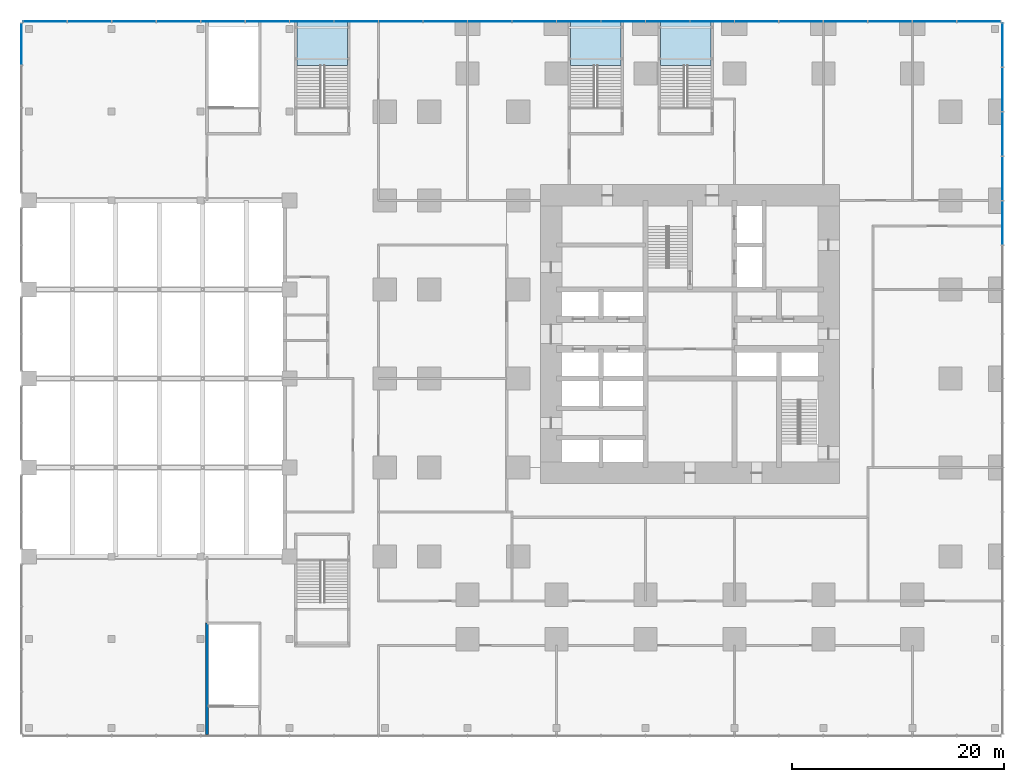
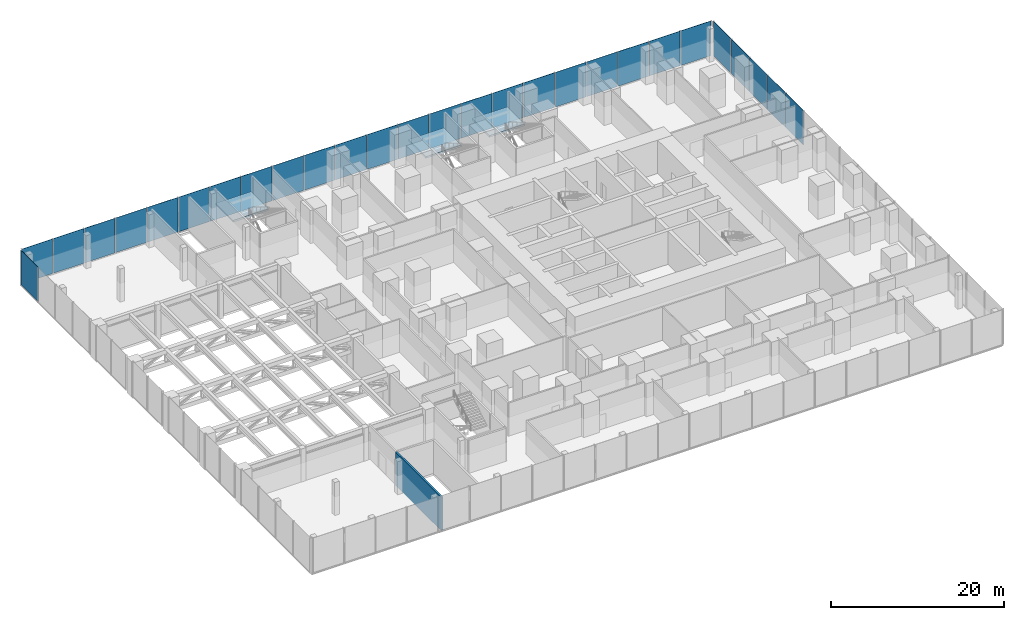
# One storey, part 24 of 33: 28 plates, 3 slabs, 1 wall, 6 elements without a shape of their own.
"""IFC4 building model written with IfcOpenShell, lengths in metres."""

import ifcopenshell
import ifcopenshell.guid

model = None  # the IFC model being written
_history = None  # IfcOwnerHistory: only IFC2X3 demands one
_inside = {}  # id of a spatial element -> (the spatial element, [elements in it])
_under = {}  # id of a project, library or spatial element -> (it, [spatial elements below it])
_declared = {}  # id of a project -> (the project, [libraries it declares])
_typed = {}  # id of a type object -> (the type object, [elements of that type])
_made_of = {}  # id of a material, layer set ... -> (it, [elements and type objects made of it])


def new_model(schema):
    """Start an empty IFC model of exactly this schema.

    Asked for "IFC4X3", IfcOpenShell would pick the latest addendum, in which some entities
    have other attributes; the version numbers below select the first issue.
    IFC2X3 requires an IfcOwnerHistory on every rooted entity: one is made here for all.
    """
    global model, _history
    if schema == "IFC4X3":
        model = ifcopenshell.file(schema_version=(4, 3, 0, 0))
    else:
        model = ifcopenshell.file(schema=schema)
    _inside.clear()
    _under.clear()
    _declared.clear()
    _typed.clear()
    _made_of.clear()
    _history = None
    if model.schema == "IFC2X3":
        org = make("IfcOrganization", Name="unknown")
        user = make(
            "IfcPersonAndOrganization",
            ThePerson=make("IfcPerson", FamilyName="unknown"),
            TheOrganization=org,
        )
        app = make(
            "IfcApplication",
            ApplicationDeveloper=org,
            Version="unknown",
            ApplicationFullName="unknown",
            ApplicationIdentifier="unknown",
        )
        _history = make(
            "IfcOwnerHistory",
            OwningUser=user,
            OwningApplication=app,
            ChangeAction="ADDED",
            CreationDate=0,
        )
    return model


def make(cls, **values):
    """One entity of the class cls with the attributes given. An attribute that is None is left unset."""
    return model.create_entity(
        cls, **{name: value for name, value in values.items() if value is not None}
    )


def rooted(cls, **values):
    """An entity with a GlobalId (a new one), such as an element, a storey or a relation."""
    return make(cls, GlobalId=ifcopenshell.guid.new(), OwnerHistory=_history, **values)


def si_unit(unit_type, name, prefix=None):
    """IfcSIUnit, for example si_unit("LENGTHUNIT", "METRE", prefix="MILLI")."""
    return make("IfcSIUnit", UnitType=unit_type, Prefix=prefix, Name=name)


def assignment(units):
    """IfcUnitAssignment: the units of a project."""
    return None if units is None else make("IfcUnitAssignment", Units=units)


def point(xyz):
    """IfcCartesianPoint."""
    return None if xyz is None else make("IfcCartesianPoint", Coordinates=xyz)


def direction(xyz):
    """IfcDirection."""
    return None if xyz is None else make("IfcDirection", DirectionRatios=xyz)


def frame(location, z_axis=None, x_axis=None):
    """IfcAxis2Placement3D, a coordinate frame: its origin and axes. An axis left out is left unset."""
    return make(
        "IfcAxis2Placement3D",
        Location=point(location),
        Axis=direction(z_axis),
        RefDirection=direction(x_axis),
    )


def frame_2d(location, x_axis=None):
    """IfcAxis2Placement2D, a coordinate frame in the plane: its origin and x axis."""
    return make(
        "IfcAxis2Placement2D", Location=point(location), RefDirection=direction(x_axis)
    )


def origin():
    """The frame at (0, 0, 0) with its axes left unset."""
    return frame((0.0, 0.0, 0.0))


def origin_2d():
    """The frame at (0, 0) in the plane with its x axis left unset."""
    return frame_2d((0.0, 0.0))


def place(relative_to, where):
    """IfcLocalPlacement: puts the frame where relative to a parent placement (None: the world)."""
    return make(
        "IfcLocalPlacement", PlacementRelTo=relative_to, RelativePlacement=where
    )


def context(
    kind, dimensions, precision=None, world=None, true_north=None, identifier=None
):
    """IfcGeometricRepresentationContext, for example the 3D "Model" context."""
    return make(
        "IfcGeometricRepresentationContext",
        ContextIdentifier=identifier,
        ContextType=kind,
        CoordinateSpaceDimension=dimensions,
        Precision=precision,
        WorldCoordinateSystem=world,
        TrueNorth=true_north,
    )


def subcontext(parent, identifier, kind, view, scale=None):
    """IfcGeometricRepresentationSubContext, for example "Body" below "Model"."""
    return make(
        "IfcGeometricRepresentationSubContext",
        ContextIdentifier=identifier,
        ContextType=kind,
        ParentContext=parent,
        TargetScale=scale,
        TargetView=view,
    )


def project(units=None, contexts=None):
    """IfcProject with its units and contexts."""
    return rooted(
        "IfcProject",
        Name="project",
        RepresentationContexts=contexts,
        UnitsInContext=assignment(units),
    )


def spatial(cls, under=None, at=None, **own):
    """A site, building, storey or space (cls), placed at a placement, below another one or the project."""
    s = rooted(cls, ObjectPlacement=at, **own)
    if under is not None:
        _under.setdefault(under.id(), (under, []))[1].append(s)
    return s


def polyline(points):
    """IfcPolyline through the points."""
    return make("IfcPolyline", Points=[point(p) for p in points])


def profile(cls, at=None, kind="AREA", **sizes):
    """A parametric profile (cls). Its sizes go by their IFC names, for example OverallWidth=200.0."""
    return make(cls, ProfileType=kind, Position=at, **sizes)


def rectangle(**sizes):
    """IfcRectangleProfileDef."""
    return profile("IfcRectangleProfileDef", **sizes)


def outline(outer, holes=None, kind="AREA"):
    """IfcArbitraryClosedProfileDef: a profile drawn as a closed curve; with holes, ...WithVoids."""
    if holes is None:
        return make("IfcArbitraryClosedProfileDef", ProfileType=kind, OuterCurve=outer)
    return make(
        "IfcArbitraryProfileDefWithVoids",
        ProfileType=kind,
        OuterCurve=outer,
        InnerCurves=holes,
    )


def extrude(swept, where, along, depth):
    """IfcExtrudedAreaSolid: the profile swept, set in the frame where, extruded along a direction by depth."""
    return make(
        "IfcExtrudedAreaSolid",
        SweptArea=swept,
        Position=where,
        ExtrudedDirection=direction(along),
        Depth=depth,
    )


def shape(context_of_items, identifier, shape_type, items):
    """IfcShapeRepresentation: the items that make up one representation, for example the "Body"."""
    return make(
        "IfcShapeRepresentation",
        ContextOfItems=context_of_items,
        RepresentationIdentifier=identifier,
        RepresentationType=shape_type,
        Items=items,
    )


def material(Name=None, Category=None):
    """IfcMaterial."""
    return make("IfcMaterial", Name=Name, Category=Category)


def layer(
    of_material, thickness, ventilated=None, Name=None, Category=None, Priority=None
):
    """IfcMaterialLayer: one layer of a wall or slab, of a material (None: an air gap)."""
    return make(
        "IfcMaterialLayer",
        Material=of_material,
        LayerThickness=thickness,
        IsVentilated=ventilated,
        Name=Name,
        Category=Category,
        Priority=Priority,
    )


def layer_set(layers, Name=None):
    """IfcMaterialLayerSet."""
    return make("IfcMaterialLayerSet", MaterialLayers=layers, LayerSetName=Name)


def made_of(thing, what):
    """Note that an element or type object is made of a material, layer set ...; save() writes the relation."""
    if what is not None:
        _made_of.setdefault(what.id(), (what, []))[1].append(thing)
    return thing


def type_object(cls, material=None, **own):
    """A type object (cls), such as IfcWallType, which elements share."""
    return made_of(rooted(cls, **own), material)


def element(
    cls,
    number,
    at=None,
    inside=None,
    cuts=None,
    type_object=None,
    material=None,
    context=None,
    identifier="Body",
    shape_type=None,
    held_by="IfcProductDefinitionShape",
    body=None,
    shapes=None,
    **own,
):
    """One element of the class cls, such as IfcWall. Its Tag is "e" and its number.

    at: its placement. inside: the storey or other place that contains it. cuts: it is an
    opening in that element (IfcRelVoidsElement). A single representation is given by context,
    identifier, shape_type and body (its items); several are given by shapes. held_by: the class
    of the entity that holds the representations. save() writes the other relations.
    """
    e = rooted(cls, Tag="e%d" % number, ObjectPlacement=at, **own)
    if body is not None:
        shapes = [shape(context, identifier, shape_type, body)]
    if shapes is not None:
        e.Representation = make(held_by, Representations=shapes)
    if inside is not None:
        _inside.setdefault(inside.id(), (inside, []))[1].append(e)
    if cuts is not None:
        rooted(
            "IfcRelVoidsElement", RelatingBuildingElement=cuts, RelatedOpeningElement=e
        )
    if type_object is not None:
        _typed.setdefault(type_object.id(), (type_object, []))[1].append(e)
    return made_of(e, material)


def aggregate(whole, parts):
    """IfcRelAggregates: a whole, such as a stair, and the parts it consists of."""
    return rooted("IfcRelAggregates", RelatingObject=whole, RelatedObjects=parts)


def save(model, path):
    """Write the relations noted so far, then the file.

    IfcRelAggregates (storeys below a building ...), IfcRelContainedInSpatialStructure (elements
    in a storey), IfcRelDefinesByType, IfcRelAssociatesMaterial and IfcRelDeclares: one each for
    every whole, place, type object, material and project.
    """
    for whole, parts in _under.values():
        aggregate(whole, parts)
    for where, things in _inside.values():
        rooted(
            "IfcRelContainedInSpatialStructure",
            RelatedElements=things,
            RelatingStructure=where,
        )
    for kind, things in _typed.values():
        rooted("IfcRelDefinesByType", RelatedObjects=things, RelatingType=kind)
    for what, things in _made_of.values():
        rooted("IfcRelAssociatesMaterial", RelatedObjects=things, RelatingMaterial=what)
    for by, libraries in _declared.values():
        rooted("IfcRelDeclares", RelatingContext=by, RelatedDefinitions=libraries)
    model.write(path)


model = new_model("IFC4")

# Units and contexts
model_context = context("Model", 3, precision=1e-05, world=origin(), true_north=direction((0.0, 1.0)))
body_context = subcontext(model_context, "Body", "Model", "MODEL_VIEW")
ifc_project = project(units=[si_unit("LENGTHUNIT", "METRE"), si_unit("AREAUNIT", "SQUARE_METRE"), si_unit("VOLUMEUNIT", "CUBIC_METRE"), si_unit("PLANEANGLEUNIT", "RADIAN"), si_unit("MASSUNIT", "GRAM", prefix="KILO")], contexts=[model_context])

# Site, building, storey
site_placement = place(None, origin())
site = spatial("IfcSite", under=ifc_project, at=site_placement, CompositionType="ELEMENT")
building_placement = place(site_placement, origin())
building = spatial("IfcBuilding", under=site, at=building_placement, Name="Dunama Terrace Hotel", CompositionType="ELEMENT")
storey_placement = place(building_placement, frame((0.0, 0.0, 12.0)))
storey = spatial("IfcBuildingStorey", under=building, at=storey_placement, Name="L02", CompositionType="ELEMENT", Elevation=12.0)

# Curtain wall, plates
ifc_material_1 = material(Name="Aluminium curtain wall system", Category="aluminium")
curtain_wall_type = type_object("IfcCurtainWallType", Name="Podium storefront glazing CW-E", PredefinedType="NOTDEFINED", material=ifc_material_1)
curtain_wall_1_placement = place(storey_placement, origin())
curtain_wall_1 = element("IfcCurtainWall", 1, at=curtain_wall_1_placement, inside=storey, type_object=curtain_wall_type, Name="Podium storefront glazing CW-E L02", PredefinedType="NOTDEFINED")
ifc_material_2 = material(Name="Laminated glass", Category="glass")
ifc_layer_1 = layer(ifc_material_2, 0.033935546875)
ifc_layer_set_1 = layer_set([ifc_layer_1], Name="CWE clear glass panel")
plate_type_1 = type_object("IfcPlateType", Name="CWE clear glass panel", PredefinedType="CURTAIN_PANEL", material=ifc_layer_set_1)
plate_1_placement = place(storey_placement, frame((58.925048828125, 44.10009765625, 0.08984375), z_axis=(0.0, 0.0, 1.0), x_axis=(0.0, 1.0, 0.0)))
plate_1 = element("IfcPlate", 2, at=plate_1_placement, type_object=plate_type_1, Name="CWE clear glass panel", PredefinedType="CURTAIN_PANEL", context=body_context, shape_type="SweptSolid", body=[
    extrude(rectangle(XDim=4.1201171875, YDim=0.033935546875, at=origin_2d()), origin(), (0.0, 0.0, 1.0), 4.909912109375),
])
plate_2_placement = place(storey_placement, frame((58.925048828125, 56.679931640625, 0.08984375), z_axis=(0.0, 0.0, 1.0), x_axis=(0.0, 1.0, 0.0)))
plate_2 = element("IfcPlate", 3, at=plate_2_placement, type_object=plate_type_1, Name="CWE clear glass panel", PredefinedType="CURTAIN_PANEL", context=body_context, shape_type="SweptSolid", body=[
    extrude(rectangle(XDim=4.080078125, YDim=0.033935546875, at=origin_2d()), origin(), (0.0, 0.0, 1.0), 4.909912109375),
])

curtain_wall_2_placement = place(storey_placement, origin())
curtain_wall_2 = element("IfcCurtainWall", 4, at=curtain_wall_2_placement, inside=storey, type_object=curtain_wall_type, Name="Podium storefront glazing CW-E L02", PredefinedType="NOTDEFINED")
plate_3_placement = place(storey_placement, frame((56.679931640625, 58.925048828125, 0.08984375), z_axis=(0.0, 0.0, 1.0), x_axis=(-1.0, 0.0, 0.0)))
plate_3 = element("IfcPlate", 5, at=plate_3_placement, type_object=plate_type_1, Name="CWE clear glass panel", PredefinedType="CURTAIN_PANEL", context=body_context, shape_type="SweptSolid", body=[
    extrude(rectangle(XDim=4.080078125, YDim=0.033935546875, at=origin_2d()), origin(), (0.0, 0.0, 1.0), 4.909912109375),
])
plate_4_placement = place(storey_placement, frame((44.10009765625, 58.925048828125, 0.08984375), z_axis=(0.0, 0.0, 1.0), x_axis=(-1.0, 0.0, 0.0)))
plate_4 = element("IfcPlate", 6, at=plate_4_placement, type_object=plate_type_1, Name="CWE clear glass panel", PredefinedType="CURTAIN_PANEL", context=body_context, shape_type="SweptSolid", body=[
    extrude(rectangle(XDim=4.1201171875, YDim=0.033935546875, at=origin_2d()), origin(), (0.0, 0.0, 1.0), 4.909912109375),
])
plate_5_placement = place(storey_placement, frame((31.5, 58.925048828125, 0.08984375), z_axis=(0.0, 0.0, 1.0), x_axis=(-1.0, 0.0, 0.0)))
plate_5 = element("IfcPlate", 7, at=plate_5_placement, type_object=plate_type_1, Name="CWE clear glass panel", PredefinedType="CURTAIN_PANEL", context=body_context, shape_type="SweptSolid", body=[
    extrude(rectangle(XDim=4.1201171875, YDim=0.033935546875, at=origin_2d()), origin(), (0.0, 0.0, 1.0), 4.909912109375),
])
plate_6_placement = place(storey_placement, frame((18.89990234375, 58.925048828125, 0.08984375), z_axis=(0.0, 0.0, 1.0), x_axis=(-1.0, 0.0, 0.0)))
plate_6 = element("IfcPlate", 8, at=plate_6_placement, type_object=plate_type_1, Name="CWE clear glass panel", PredefinedType="CURTAIN_PANEL", context=body_context, shape_type="SweptSolid", body=[
    extrude(rectangle(XDim=4.1201171875, YDim=0.033935546875, at=origin_2d()), origin(), (0.0, 0.0, 1.0), 4.909912109375),
])
plate_7_placement = place(storey_placement, frame((6.300048828125, 58.925048828125, 0.08984375), z_axis=(0.0, 0.0, 1.0), x_axis=(-1.0, 0.0, 0.0)))
plate_7 = element("IfcPlate", 9, at=plate_7_placement, type_object=plate_type_1, Name="CWE clear glass panel", PredefinedType="CURTAIN_PANEL", context=body_context, shape_type="SweptSolid", body=[
    extrude(rectangle(XDim=4.1201171875, YDim=0.033935546875, at=origin_2d()), origin(), (0.0, 0.0, 1.0), 4.909912109375),
])
plate_8_placement = place(storey_placement, frame((-6.300048828125, 58.925048828125, 0.08984375), z_axis=(0.0, 0.0, 1.0), x_axis=(-1.0, 0.0, 0.0)))
plate_8 = element("IfcPlate", 10, at=plate_8_placement, type_object=plate_type_1, Name="CWE clear glass panel", PredefinedType="CURTAIN_PANEL", context=body_context, shape_type="SweptSolid", body=[
    extrude(rectangle(XDim=4.1201171875, YDim=0.033935546875, at=origin_2d()), origin(), (0.0, 0.0, 1.0), 4.909912109375),
])
plate_9_placement = place(storey_placement, frame((-18.89990234375, 58.925048828125, 0.08984375), z_axis=(0.0, 0.0, 1.0), x_axis=(-1.0, 0.0, 0.0)))
plate_9 = element("IfcPlate", 11, at=plate_9_placement, type_object=plate_type_1, Name="CWE clear glass panel", PredefinedType="CURTAIN_PANEL", context=body_context, shape_type="SweptSolid", body=[
    extrude(rectangle(XDim=4.1201171875, YDim=0.033935546875, at=origin_2d()), origin(), (0.0, 0.0, 1.0), 4.909912109375),
])
plate_10_placement = place(storey_placement, frame((-31.47998046875, 58.925048828125, 0.08984375), z_axis=(0.0, 0.0, 1.0), x_axis=(-1.0, 0.0, 0.0)))
plate_10 = element("IfcPlate", 12, at=plate_10_placement, type_object=plate_type_1, Name="CWE clear glass panel", PredefinedType="CURTAIN_PANEL", context=body_context, shape_type="SweptSolid", body=[
    extrude(rectangle(XDim=4.080078125, YDim=0.033935546875, at=origin_2d()), origin(), (0.0, 0.0, 1.0), 4.909912109375),
])

# Curtain wall, plate
curtain_wall_3_placement = place(storey_placement, origin())
curtain_wall_3 = element("IfcCurtainWall", 13, at=curtain_wall_3_placement, inside=storey, type_object=curtain_wall_type, Name="Podium storefront glazing CW-E L02", PredefinedType="NOTDEFINED")
plate_11_placement = place(storey_placement, frame((-33.72509765625, 56.76708984375, 0.08984375), z_axis=(0.0, 0.0, 1.0), x_axis=(0.0, -1.0, 0.0)))
plate_11 = element("IfcPlate", 14, at=plate_11_placement, type_object=plate_type_1, Name="CWE clear glass panel", PredefinedType="CURTAIN_PANEL", context=body_context, shape_type="SweptSolid", body=[
    extrude(rectangle(XDim=3.905029296875, YDim=0.033935546875, at=origin_2d()), origin(), (0.0, 0.0, 1.0), 4.909912109375),
])
aggregate(curtain_wall_3, [plate_11])

# Plate
ifc_material_3 = material(Name="Fritted laminated glass", Category="glass")
ifc_layer_2 = layer(ifc_material_3, 0.033935546875)
ifc_layer_set_2 = layer_set([ifc_layer_2], Name="CWE fritted glass panel")
plate_type_2 = type_object("IfcPlateType", Name="CWE fritted glass panel", PredefinedType="CURTAIN_PANEL", material=ifc_layer_set_2)
plate_12_placement = place(storey_placement, frame((58.925048828125, 39.89990234375, 0.08984375), z_axis=(0.0, 0.0, 1.0), x_axis=(0.0, 1.0, 0.0)))
plate_12 = element("IfcPlate", 15, at=plate_12_placement, type_object=plate_type_2, Name="CWE fritted glass panel", PredefinedType="CURTAIN_PANEL", context=body_context, shape_type="SweptSolid", body=[
    extrude(rectangle(XDim=4.1201171875, YDim=0.033935546875, at=origin_2d()), origin(), (0.0, 0.0, 1.0), 4.909912109375),
])

plate_13_placement = place(storey_placement, frame((58.925048828125, 52.5, 0.08984375), z_axis=(0.0, 0.0, 1.0), x_axis=(0.0, 1.0, 0.0)))
plate_13 = element("IfcPlate", 16, at=plate_13_placement, type_object=plate_type_2, Name="CWE fritted glass panel", PredefinedType="CURTAIN_PANEL", context=body_context, shape_type="SweptSolid", body=[
    extrude(rectangle(XDim=4.1201171875, YDim=0.033935546875, at=origin_2d()), origin(), (0.0, 0.0, 1.0), 4.909912109375),
])

plate_14_placement = place(storey_placement, frame((48.300048828125, 58.925048828125, 0.08984375), z_axis=(0.0, 0.0, 1.0), x_axis=(-1.0, 0.0, 0.0)))
plate_14 = element("IfcPlate", 17, at=plate_14_placement, type_object=plate_type_2, Name="CWE fritted glass panel", PredefinedType="CURTAIN_PANEL", context=body_context, shape_type="SweptSolid", body=[
    extrude(rectangle(XDim=4.1201171875, YDim=0.033935546875, at=origin_2d()), origin(), (0.0, 0.0, 1.0), 4.909912109375),
])

plate_15_placement = place(storey_placement, frame((35.699951171875, 58.925048828125, 0.08984375), z_axis=(0.0, 0.0, 1.0), x_axis=(-1.0, 0.0, 0.0)))
plate_15 = element("IfcPlate", 18, at=plate_15_placement, type_object=plate_type_2, Name="CWE fritted glass panel", PredefinedType="CURTAIN_PANEL", context=body_context, shape_type="SweptSolid", body=[
    extrude(rectangle(XDim=4.1201171875, YDim=0.033935546875, at=origin_2d()), origin(), (0.0, 0.0, 1.0), 4.909912109375),
])

plate_16_placement = place(storey_placement, frame((23.10009765625, 58.925048828125, 0.08984375), z_axis=(0.0, 0.0, 1.0), x_axis=(-1.0, 0.0, 0.0)))
plate_16 = element("IfcPlate", 19, at=plate_16_placement, type_object=plate_type_2, Name="CWE fritted glass panel", PredefinedType="CURTAIN_PANEL", context=body_context, shape_type="SweptSolid", body=[
    extrude(rectangle(XDim=4.1201171875, YDim=0.033935546875, at=origin_2d()), origin(), (0.0, 0.0, 1.0), 4.909912109375),
])

plate_17_placement = place(storey_placement, frame((10.5, 58.925048828125, 0.08984375), z_axis=(0.0, 0.0, 1.0), x_axis=(-1.0, 0.0, 0.0)))
plate_17 = element("IfcPlate", 20, at=plate_17_placement, type_object=plate_type_2, Name="CWE fritted glass panel", PredefinedType="CURTAIN_PANEL", context=body_context, shape_type="SweptSolid", body=[
    extrude(rectangle(XDim=4.1201171875, YDim=0.033935546875, at=origin_2d()), origin(), (0.0, 0.0, 1.0), 4.909912109375),
])

plate_18_placement = place(storey_placement, frame((-2.10009765625, 58.925048828125, 0.08984375), z_axis=(0.0, 0.0, 1.0), x_axis=(-1.0, 0.0, 0.0)))
plate_18 = element("IfcPlate", 21, at=plate_18_placement, type_object=plate_type_2, Name="CWE fritted glass panel", PredefinedType="CURTAIN_PANEL", context=body_context, shape_type="SweptSolid", body=[
    extrude(rectangle(XDim=4.1201171875, YDim=0.033935546875, at=origin_2d()), origin(), (0.0, 0.0, 1.0), 4.909912109375),
])

plate_19_placement = place(storey_placement, frame((-14.699951171875, 58.925048828125, 0.08984375), z_axis=(0.0, 0.0, 1.0), x_axis=(-1.0, 0.0, 0.0)))
plate_19 = element("IfcPlate", 22, at=plate_19_placement, type_object=plate_type_2, Name="CWE fritted glass panel", PredefinedType="CURTAIN_PANEL", context=body_context, shape_type="SweptSolid", body=[
    extrude(rectangle(XDim=4.1201171875, YDim=0.033935546875, at=origin_2d()), origin(), (0.0, 0.0, 1.0), 4.909912109375),
])

plate_20_placement = place(storey_placement, frame((-27.300048828125, 58.925048828125, 0.08984375), z_axis=(0.0, 0.0, 1.0), x_axis=(-1.0, 0.0, 0.0)))
plate_20 = element("IfcPlate", 23, at=plate_20_placement, type_object=plate_type_2, Name="CWE fritted glass panel", PredefinedType="CURTAIN_PANEL", context=body_context, shape_type="SweptSolid", body=[
    extrude(rectangle(XDim=4.1201171875, YDim=0.033935546875, at=origin_2d()), origin(), (0.0, 0.0, 1.0), 4.909912109375),
])

ifc_material_4 = material(Name="Laminated glass", Category="glass")
ifc_layer_3 = layer(ifc_material_4, 0.033935546875)
ifc_layer_set_3 = layer_set([ifc_layer_3], Name="CWE operable glass panel")
plate_type_3 = type_object("IfcPlateType", Name="CWE operable glass panel", PredefinedType="CURTAIN_PANEL", material=ifc_layer_set_3)
plate_21_placement = place(storey_placement, frame((58.925048828125, 48.300048828125, 0.08984375), z_axis=(0.0, 0.0, 1.0), x_axis=(0.0, 1.0, 0.0)))
plate_21 = element("IfcPlate", 24, at=plate_21_placement, type_object=plate_type_3, Name="CWE operable glass panel", PredefinedType="CURTAIN_PANEL", context=body_context, shape_type="SweptSolid", body=[
    extrude(rectangle(XDim=4.1201171875, YDim=0.033935546875, at=origin_2d()), origin(), (0.0, 0.0, 1.0), 4.909912109375),
])

aggregate(curtain_wall_1, [plate_12, plate_1, plate_21, plate_13, plate_2])

plate_22_placement = place(storey_placement, frame((52.5, 58.925048828125, 0.08984375), z_axis=(0.0, 0.0, 1.0), x_axis=(-1.0, 0.0, 0.0)))
plate_22 = element("IfcPlate", 25, at=plate_22_placement, type_object=plate_type_3, Name="CWE operable glass panel", PredefinedType="CURTAIN_PANEL", context=body_context, shape_type="SweptSolid", body=[
    extrude(rectangle(XDim=4.1201171875, YDim=0.033935546875, at=origin_2d()), origin(), (0.0, 0.0, 1.0), 4.909912109375),
])

plate_23_placement = place(storey_placement, frame((39.89990234375, 58.925048828125, 0.08984375), z_axis=(0.0, 0.0, 1.0), x_axis=(-1.0, 0.0, 0.0)))
plate_23 = element("IfcPlate", 26, at=plate_23_placement, type_object=plate_type_3, Name="CWE operable glass panel", PredefinedType="CURTAIN_PANEL", context=body_context, shape_type="SweptSolid", body=[
    extrude(rectangle(XDim=4.1201171875, YDim=0.033935546875, at=origin_2d()), origin(), (0.0, 0.0, 1.0), 4.909912109375),
])

plate_24_placement = place(storey_placement, frame((27.300048828125, 58.925048828125, 0.08984375), z_axis=(0.0, 0.0, 1.0), x_axis=(-1.0, 0.0, 0.0)))
plate_24 = element("IfcPlate", 27, at=plate_24_placement, type_object=plate_type_3, Name="CWE operable glass panel", PredefinedType="CURTAIN_PANEL", context=body_context, shape_type="SweptSolid", body=[
    extrude(rectangle(XDim=4.1201171875, YDim=0.033935546875, at=origin_2d()), origin(), (0.0, 0.0, 1.0), 4.909912109375),
])

plate_25_placement = place(storey_placement, frame((14.699951171875, 58.925048828125, 0.08984375), z_axis=(0.0, 0.0, 1.0), x_axis=(-1.0, 0.0, 0.0)))
plate_25 = element("IfcPlate", 28, at=plate_25_placement, type_object=plate_type_3, Name="CWE operable glass panel", PredefinedType="CURTAIN_PANEL", context=body_context, shape_type="SweptSolid", body=[
    extrude(rectangle(XDim=4.1201171875, YDim=0.033935546875, at=origin_2d()), origin(), (0.0, 0.0, 1.0), 4.909912109375),
])

plate_26_placement = place(storey_placement, frame((2.10009765625, 58.925048828125, 0.08984375), z_axis=(0.0, 0.0, 1.0), x_axis=(-1.0, 0.0, 0.0)))
plate_26 = element("IfcPlate", 29, at=plate_26_placement, type_object=plate_type_3, Name="CWE operable glass panel", PredefinedType="CURTAIN_PANEL", context=body_context, shape_type="SweptSolid", body=[
    extrude(rectangle(XDim=4.1201171875, YDim=0.033935546875, at=origin_2d()), origin(), (0.0, 0.0, 1.0), 4.909912109375),
])

plate_27_placement = place(storey_placement, frame((-10.5, 58.925048828125, 0.08984375), z_axis=(0.0, 0.0, 1.0), x_axis=(-1.0, 0.0, 0.0)))
plate_27 = element("IfcPlate", 30, at=plate_27_placement, type_object=plate_type_3, Name="CWE operable glass panel", PredefinedType="CURTAIN_PANEL", context=body_context, shape_type="SweptSolid", body=[
    extrude(rectangle(XDim=4.1201171875, YDim=0.033935546875, at=origin_2d()), origin(), (0.0, 0.0, 1.0), 4.909912109375),
])

plate_28_placement = place(storey_placement, frame((-23.10009765625, 58.925048828125, 0.08984375), z_axis=(0.0, 0.0, 1.0), x_axis=(-1.0, 0.0, 0.0)))
plate_28 = element("IfcPlate", 31, at=plate_28_placement, type_object=plate_type_3, Name="CWE operable glass panel", PredefinedType="CURTAIN_PANEL", context=body_context, shape_type="SweptSolid", body=[
    extrude(rectangle(XDim=4.1201171875, YDim=0.033935546875, at=origin_2d()), origin(), (0.0, 0.0, 1.0), 4.909912109375),
])

aggregate(curtain_wall_2, [plate_3, plate_22, plate_14, plate_4, plate_23, plate_15, plate_5, plate_24, plate_16, plate_6, plate_25, plate_17, plate_7, plate_26, plate_18, plate_8, plate_27, plate_19, plate_9, plate_28, plate_20, plate_10])

# Stair, slab
ifc_material_5 = material(Name="Concrete C40/50", Category="concrete")
stair_type_1 = type_object("IfcStairType", Name="Stair P3-5000-2250", PredefinedType="HALF_TURN_STAIR", material=ifc_material_5)
stair_1_placement = place(storey_placement, origin())
stair_1 = element("IfcStair", 32, at=stair_1_placement, inside=storey, type_object=stair_type_1, Name="Stair P3 L02", PredefinedType="HALF_TURN_STAIR")
ifc_material_6 = material(Name="Concrete C40/50", Category="concrete")
ifc_layer_4 = layer(ifc_material_6, 0.25)
ifc_layer_set_4 = layer_set([ifc_layer_4], Name="Podium stair landing 250")
slab_type = type_object("IfcSlabType", Name="Podium stair landing 250", PredefinedType="LANDING", material=ifc_layer_set_4)
slab_1_placement = place(storey_placement, frame((0.0, 0.0, 2.25)))
slab_1 = element("IfcSlab", 33, at=slab_1_placement, type_object=slab_type, Name="P3 landing 1, type S11", PredefinedType="LANDING", context=body_context, shape_type="SweptSolid", body=[
    extrude(outline(polyline([(-7.675048828125, 54.7451171875), (-2.925048828125, 54.7451171875), (-2.925048828125, 58.800048828125), (-7.675048828125, 58.800048828125), (-7.675048828125, 54.7451171875)])), origin(), (0.0, 0.0, 1.0), 0.25),
])
aggregate(stair_1, [slab_1])

ifc_material_7 = material(Name="Concrete C40/50", Category="concrete")
stair_type_2 = type_object("IfcStairType", Name="Stair P5-5000-2250", PredefinedType="HALF_TURN_STAIR", material=ifc_material_7)
stair_2_placement = place(storey_placement, origin())
stair_2 = element("IfcStair", 34, at=stair_2_placement, inside=storey, type_object=stair_type_2, Name="Stair P5 L02", PredefinedType="HALF_TURN_STAIR")
slab_2_placement = place(storey_placement, frame((0.0, 0.0, 2.25)))
slab_2 = element("IfcSlab", 35, at=slab_2_placement, type_object=slab_type, Name="P5 landing 1, type S11", PredefinedType="LANDING", context=body_context, shape_type="SweptSolid", body=[
    extrude(outline(polyline([(18.125, 54.7451171875), (22.875, 54.7451171875), (22.875, 58.800048828125), (18.125, 58.800048828125), (18.125, 54.7451171875)])), origin(), (0.0, 0.0, 1.0), 0.25),
])
aggregate(stair_2, [slab_2])

ifc_material_8 = material(Name="Concrete C40/50", Category="concrete")
stair_type_3 = type_object("IfcStairType", Name="Stair P6-5000-2250", PredefinedType="HALF_TURN_STAIR", material=ifc_material_8)
stair_3_placement = place(storey_placement, origin())
stair_3 = element("IfcStair", 36, at=stair_3_placement, inside=storey, type_object=stair_type_3, Name="Stair P6 L02", PredefinedType="HALF_TURN_STAIR")
slab_3_placement = place(storey_placement, frame((0.0, 0.0, 2.25)))
slab_3 = element("IfcSlab", 37, at=slab_3_placement, type_object=slab_type, Name="P6 landing 1, type S11", PredefinedType="LANDING", context=body_context, shape_type="SweptSolid", body=[
    extrude(outline(polyline([(26.625, 54.7451171875), (31.375, 54.7451171875), (31.375, 58.800048828125), (26.625, 58.800048828125), (26.625, 54.7451171875)])), origin(), (0.0, 0.0, 1.0), 0.25),
])
aggregate(stair_3, [slab_3])

# Wall
ifc_material_9 = material(Name="Concrete blockwork", Category="masonry")
ifc_layer_5 = layer(ifc_material_9, 0.25)
ifc_layer_set_5 = layer_set([ifc_layer_5], Name="Stair enclosure wall 250")
wall_type = type_object("IfcWallType", Name="Stair enclosure wall 250", PredefinedType="PARTITIONING", material=ifc_layer_set_5)
wall_placement = place(storey_placement, frame((-16.199951171875, -8.423095703125, 0.0), z_axis=(0.0, 0.0, 1.0), x_axis=(0.0, 1.0, 0.0)))
element("IfcWall", 38, at=wall_placement, inside=storey, type_object=wall_type, Name="Stair enclosure wall 250 L02", PredefinedType="PARTITIONING", context=body_context, shape_type="SweptSolid", body=[
    extrude(rectangle(XDim=10.523193359375, YDim=0.25, at=frame_2d((5.26171875, 0.0))), origin(), (0.0, 0.0, 1.0), 4.699951171875),
])

save(model, "model.ifc")
